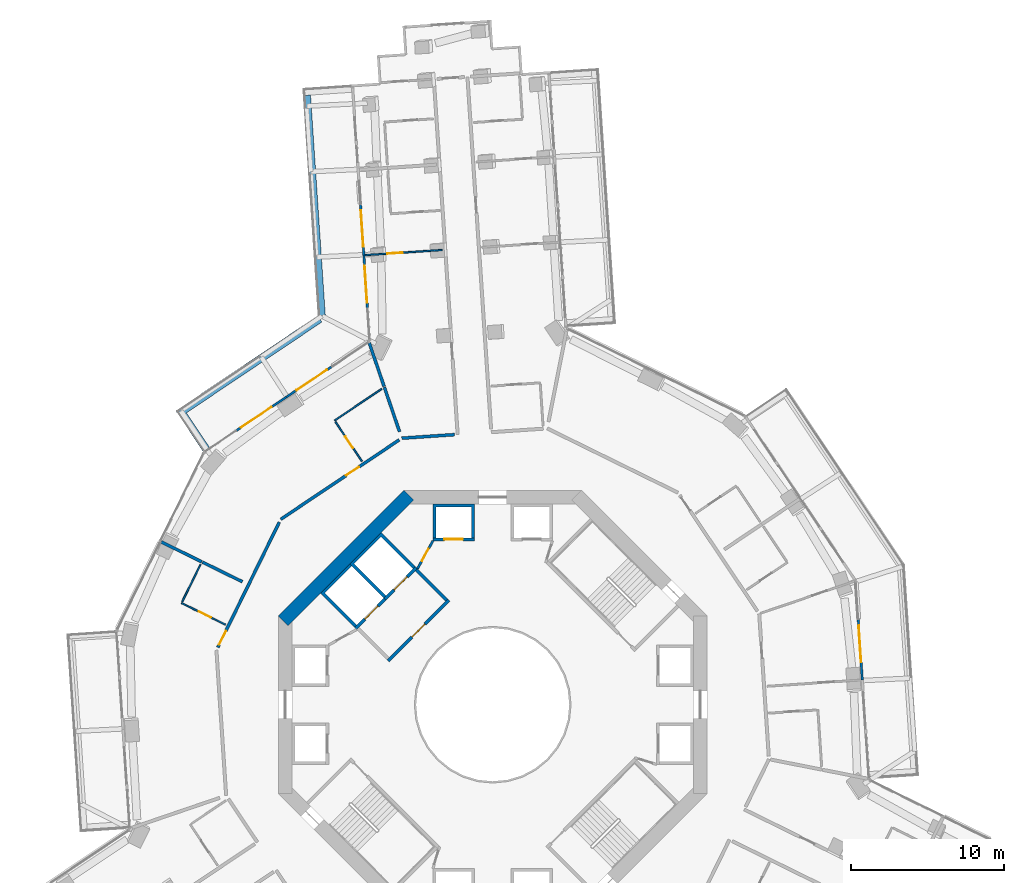
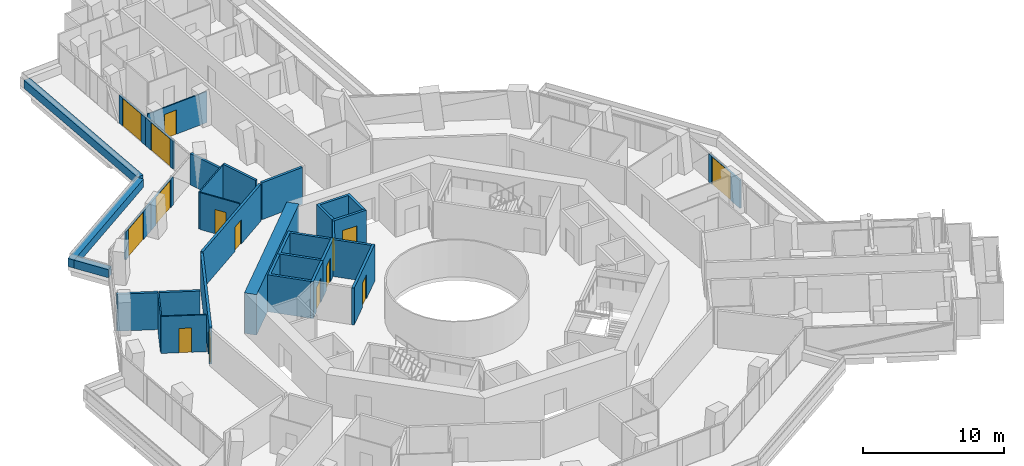
# One storey, part 20 of 25: 30 walls, 15 doors, 15 openings.
"""IFC4 building model written with IfcOpenShell, lengths in metres."""

from ifc_helpers import new_model, si_unit, direction, frame, frame_2d, origin, place, context, subcontext, project, spatial, polyline, rectangle, outline, extrude, material, layer, layer_set, type_object, element, fill, save


model = new_model("IFC4")

# Units and contexts
model_context = context("Model", 3, precision=1e-05, world=origin(), true_north=direction((0.0, 1.0)))
body_context = subcontext(model_context, "Body", "Model", "MODEL_VIEW")
ifc_project = project(units=[si_unit("LENGTHUNIT", "METRE"), si_unit("AREAUNIT", "SQUARE_METRE"), si_unit("VOLUMEUNIT", "CUBIC_METRE"), si_unit("PLANEANGLEUNIT", "RADIAN"), si_unit("MASSUNIT", "GRAM", prefix="KILO")], contexts=[model_context])

# Site, building, storey
site_placement = place(None, origin())
site = spatial("IfcSite", under=ifc_project, at=site_placement, CompositionType="ELEMENT")
building_placement = place(site_placement, origin())
building = spatial("IfcBuilding", under=site, at=building_placement, Name="Verdalira Terraces Hotel", CompositionType="ELEMENT")
storey_placement = place(building_placement, frame((0.0, 0.0, 49.5)))
storey = spatial("IfcBuildingStorey", under=building, at=storey_placement, Name="L10", CompositionType="ELEMENT", Elevation=49.5)

# Walls
ifc_material_1 = material(Name="Concrete C40", Category="concrete")
ifc_layer_1 = layer(ifc_material_1, 0.5)
ifc_layer_set_1 = layer_set([ifc_layer_1], Name="Balcony planter trough with tree")
wall_type_1 = type_object("IfcWallType", Name="Balcony planter trough with tree", PredefinedType="SOLIDWALL", material=ifc_layer_set_1)
wall_1_placement = place(storey_placement, frame((-12.141602, 39.78418, 0.0), z_axis=(0.0, 0.0, 1.0), x_axis=(0.066975797, -0.9977546, 0.0)))
element("IfcWall", 1, at=wall_1_placement, inside=storey, type_object=wall_type_1, Name="Balcony planter", PredefinedType="SOLIDWALL", context=body_context, shape_type="SweptSolid", body=[
    extrude(rectangle(XDim=14.4021, YDim=0.5, at=frame_2d((7.201172, 0.0))), origin(), (0.0, 0.0, 1.0), 0.699951),
])
wall_2_placement = place(storey_placement, frame((-11.287354, 25.189941, 0.0), z_axis=(0.0, 0.0, 1.0), x_axis=(-0.830599266, -0.556870595, 0.0)))
element("IfcWall", 2, at=wall_2_placement, inside=storey, type_object=wall_type_1, Name="Balcony planter", PredefinedType="SOLIDWALL", context=body_context, shape_type="SweptSolid", body=[
    extrude(rectangle(XDim=11.152344, YDim=0.5, at=frame_2d((5.576172, 0.0))), origin(), (0.0, 0.0, 1.0), 0.699951),
])
wall_3_placement = place(storey_placement, frame((-20.203613, 18.910889, 0.0), z_axis=(0.0, 0.0, 1.0), x_axis=(0.556869339, -0.830600108, 0.0)))
element("IfcWall", 3, at=wall_3_placement, inside=storey, type_object=wall_type_1, Name="Balcony planter", PredefinedType="SOLIDWALL", context=body_context, shape_type="SweptSolid", body=[
    extrude(rectangle(XDim=2.698975, YDim=0.5, at=frame_2d((1.349609, 0.0))), origin(), (0.0, 0.0, 1.0), 0.699951),
])
ifc_material_2 = material(Name="Moisture-resistant gypsum board partition")
ifc_layer_2 = layer(ifc_material_2, 0.10009765625)
ifc_layer_set_2 = layer_set([ifc_layer_2], Name="Bathroom partition 100 mm")
wall_type_2 = type_object("IfcWallType", Name="Bathroom partition 100 mm", PredefinedType="PARTITIONING", material=ifc_layer_set_2)
wall_4_placement = place(storey_placement, frame((-20.269531, 6.725342, 0.0), z_axis=(0.0, 0.0, 1.0), x_axis=(0.440908992, 0.897551815, 0.0)))
element("IfcWall", 4, at=wall_4_placement, inside=storey, type_object=wall_type_2, Name="Bathroom partition", PredefinedType="PARTITIONING", context=body_context, shape_type="SweptSolid", body=[
    extrude(rectangle(XDim=2.699951, YDim=0.100098, at=frame_2d((1.350098, 0.0))), origin(), (0.0, 0.0, 1.0), 3.189941),
])

# Wall, opening, door
wall_5_placement = place(storey_placement, frame((-20.313721, 6.635498, 0.0), z_axis=(0.0, 0.0, 1.0), x_axis=(0.89759352, -0.440824085, 0.0)))
wall_5 = element("IfcWall", 5, at=wall_5_placement, inside=storey, type_object=wall_type_2, Name="Bathroom partition", PredefinedType="PARTITIONING", context=body_context, shape_type="SweptSolid", body=[
    extrude(rectangle(XDim=3.199951, YDim=0.100098, at=frame_2d((1.600098, 0.0))), origin(), (0.0, 0.0, 1.0), 3.189941),
])
opening_1_placement = place(wall_5_placement, frame((1.25, 0.0, 0.0)))
opening_1 = element("IfcOpeningElement", 6, at=opening_1_placement, cuts=wall_5, Name="Opening L10-115", PredefinedType="OPENING", context=body_context, shape_type="SweptSolid", body=[
    extrude(rectangle(XDim=0.899902, YDim=2.100098, at=frame_2d((0.449951, 1.050049))), frame((0.0, 0.060059, 0.0), z_axis=(0.0, -1.0, 0.0), x_axis=(1.0, 0.0, 0.0)), (0.0, 0.0, 1.0), 0.120117),
])
ifc_material_3 = material(Name="Timber door", Category="wood")
door_type_1 = type_object("IfcDoorType", Name="Bathroom door 900 x 2100", OperationType="NOTDEFINED", PredefinedType="DOOR", material=ifc_material_3)
door_1_placement = place(opening_1_placement, origin())
door_1 = element("IfcDoor", 7, at=door_1_placement, inside=storey, type_object=door_type_1, Name="Bathroom door 1005", OperationType="SINGLE_SWING_LEFT", OverallHeight=2.10009765625, OverallWidth=0.89990234375, PredefinedType="DOOR", context=body_context, shape_type="SweptSolid", body=[
    extrude(rectangle(XDim=0.899902, YDim=2.100098, at=frame_2d((0.449951, 1.050049))), frame((0.0, 0.024902, 0.0), z_axis=(0.0, -1.0, 0.0), x_axis=(1.0, 0.0, 0.0)), (0.0, 0.0, 1.0), 0.050049),
])
fill(opening_1, door_1)

wall_6_placement = place(storey_placement, frame((-10.266357, 18.470215, 0.0), z_axis=(0.0, 0.0, 1.0), x_axis=(0.556860995, -0.830605702, 0.0)))
wall_6 = element("IfcWall", 8, at=wall_6_placement, inside=storey, type_object=wall_type_2, Name="Bathroom partition", PredefinedType="PARTITIONING", context=body_context, shape_type="SweptSolid", body=[
    extrude(rectangle(XDim=3.100098, YDim=0.100098, at=frame_2d((1.550049, 0.0))), origin(), (0.0, 0.0, 1.0), 3.189941),
])
opening_2_placement = place(wall_6_placement, frame((1.149902, 0.0, 0.0)))
opening_2 = element("IfcOpeningElement", 9, at=opening_2_placement, cuts=wall_6, Name="Opening L10-113", PredefinedType="OPENING", context=body_context, shape_type="SweptSolid", body=[
    extrude(rectangle(XDim=0.899902, YDim=2.100098, at=frame_2d((0.449951, 1.050049))), frame((0.0, 0.060059, 0.0), z_axis=(0.0, -1.0, 0.0), x_axis=(1.0, 0.0, 0.0)), (0.0, 0.0, 1.0), 0.120117),
])
door_2_placement = place(opening_2_placement, origin())
door_2 = element("IfcDoor", 10, at=door_2_placement, inside=storey, type_object=door_type_1, Name="Bathroom door 1004", OperationType="SINGLE_SWING_LEFT", OverallHeight=2.10009765625, OverallWidth=0.89990234375, PredefinedType="DOOR", context=body_context, shape_type="SweptSolid", body=[
    extrude(rectangle(XDim=0.899902, YDim=2.100098, at=frame_2d((0.449951, 1.050049))), frame((0.0, 0.024902, 0.0), z_axis=(0.0, -1.0, 0.0), x_axis=(1.0, 0.0, 0.0)), (0.0, 0.0, 1.0), 0.050049),
])
fill(opening_2, door_2)

# Wall
wall_7_placement = place(storey_placement, frame((-10.322021, 18.553223, 0.0), z_axis=(0.0, 0.0, 1.0), x_axis=(0.83060748, 0.556858344, 0.0)))
element("IfcWall", 11, at=wall_7_placement, inside=storey, type_object=wall_type_2, Name="Bathroom partition", PredefinedType="PARTITIONING", context=body_context, shape_type="SweptSolid", body=[
    extrude(rectangle(XDim=3.703857, YDim=0.100098, at=frame_2d((1.852051, 0.0))), origin(), (0.0, 0.0, 1.0), 3.189941),
])

# Wall, opening, door
ifc_material_4 = material(Name="Moisture-resistant gypsum board partition")
ifc_layer_3 = layer(ifc_material_4, 0.10009765625)
ifc_layer_set_3 = layer_set([ifc_layer_3], Name="Bathroom partition 100 mm to beam soffit")
wall_type_3 = type_object("IfcWallType", Name="Bathroom partition 100 mm to beam soffit", PredefinedType="PARTITIONING", material=ifc_layer_set_3)
wall_8_placement = place(storey_placement, frame((-8.334229, 29.349365, 0.0), z_axis=(0.0, 0.0, 1.0), x_axis=(0.997755754, 0.066958606, 0.0)))
wall_8 = element("IfcWall", 12, at=wall_8_placement, inside=storey, type_object=wall_type_3, Name="Bathroom partition", PredefinedType="PARTITIONING", context=body_context, shape_type="SweptSolid", body=[
    extrude(rectangle(XDim=5.049805, YDim=0.100098, at=frame_2d((2.524902, 0.0))), origin(), (0.0, 0.0, 1.0), 2.689941),
])
opening_3_placement = place(wall_8_placement, frame((1.449951, 0.0, 0.0)))
opening_3 = element("IfcOpeningElement", 13, at=opening_3_placement, cuts=wall_8, Name="Opening L10-110", PredefinedType="OPENING", context=body_context, shape_type="SweptSolid", body=[
    extrude(rectangle(XDim=1.0, YDim=2.100098, at=frame_2d((0.5, 1.050049))), frame((0.0, 0.060059, 0.0), z_axis=(0.0, -1.0, 0.0), x_axis=(1.0, 0.0, 0.0)), (0.0, 0.0, 1.0), 0.120117),
])
ifc_material_5 = material(Name="Timber door", Category="wood")
door_type_2 = type_object("IfcDoorType", Name="Suite internal door 1000 x 2100", OperationType="NOTDEFINED", PredefinedType="DOOR", material=ifc_material_5)
door_3_placement = place(opening_3_placement, origin())
door_3 = element("IfcDoor", 14, at=door_3_placement, inside=storey, type_object=door_type_2, Name="Suite internal door 1003", OperationType="SINGLE_SWING_LEFT", OverallHeight=2.10009765625, OverallWidth=1.0, PredefinedType="DOOR", context=body_context, shape_type="SweptSolid", body=[
    extrude(rectangle(XDim=1.0, YDim=2.100098, at=frame_2d((0.5, 1.050049))), frame((0.0, 0.024902, 0.0), z_axis=(0.0, -1.0, 0.0), x_axis=(1.0, 0.0, 0.0)), (0.0, 0.0, 1.0), 0.050049),
])
fill(opening_3, door_3)

# Wall
ifc_material_6 = material(Name="Concrete C50", Category="concrete")
ifc_layer_4 = layer(ifc_material_6, 0.199951171875)
ifc_layer_set_4 = layer_set([ifc_layer_4], Name="Core RC wall 200 C50")
wall_type_4 = type_object("IfcWallType", Name="Core RC wall 200 C50", PredefinedType="SOLIDWALL", material=ifc_layer_set_4)
wall_9_placement = place(storey_placement, origin())
element("IfcWall", 15, at=wall_9_placement, inside=storey, type_object=wall_type_4, Name="L10 shaft wall N2", PredefinedType="SOLIDWALL", context=body_context, shape_type="SweptSolid", body=[
    extrude(outline(polyline([(-3.899902, 10.899902), (-3.899902, 13.100098), (-1.199951, 13.100098), (-1.199951, 10.899902), (-1.399902, 10.899902), (-1.399902, 12.899902), (-3.699951, 12.899902), (-3.699951, 10.899902), (-3.899902, 10.899902)])), origin(), (0.0, 0.0, 1.0), 3.189941),
])

# Wall, opening, door
wall_10_placement = place(storey_placement, frame((-1.199951, 10.800049, 0.0), z_axis=(0.0, 0.0, 1.0), x_axis=(-1.0, 0.0, 0.0)))
wall_10 = element("IfcWall", 16, at=wall_10_placement, inside=storey, type_object=wall_type_4, Name="L10 shaft front wall N2", PredefinedType="SOLIDWALL", context=body_context, shape_type="SweptSolid", body=[
    extrude(rectangle(XDim=2.699951, YDim=0.199951, at=frame_2d((1.350098, 0.0))), origin(), (0.0, 0.0, 1.0), 3.189941),
])
opening_4_placement = place(wall_10_placement, frame((0.75, 0.0, 0.0)))
opening_4 = element("IfcOpeningElement", 17, at=opening_4_placement, cuts=wall_10, Name="Opening LD-L10-804", PredefinedType="OPENING", context=body_context, shape_type="SweptSolid", body=[
    extrude(rectangle(XDim=1.199951, YDim=2.100098, at=frame_2d((0.600098, 1.050049))), frame((0.0, 0.109863, 0.0), z_axis=(0.0, -1.0, 0.0), x_axis=(1.0, 0.0, 0.0)), (0.0, 0.0, 1.0), 0.219971),
])
ifc_material_7 = material(Name="Stainless steel", Category="steel")
door_type_3 = type_object("IfcDoorType", Name="Landing door 1200 x 2100", OperationType="NOTDEFINED", PredefinedType="DOOR", material=ifc_material_7)
door_4_placement = place(opening_4_placement, origin())
door_4 = element("IfcDoor", 18, at=door_4_placement, inside=storey, type_object=door_type_3, Name="Lift landing door LR4 L10", OperationType="DOUBLE_DOOR_SLIDING", OverallHeight=2.10009765625, OverallWidth=1.199951171875, PredefinedType="DOOR", context=body_context, shape_type="SweptSolid", body=[
    extrude(rectangle(XDim=1.199951, YDim=2.100098, at=frame_2d((0.600098, 1.050049))), frame((0.0, 0.024902, 0.0), z_axis=(0.0, -1.0, 0.0), x_axis=(1.0, 0.0, 0.0)), (0.0, 0.0, 1.0), 0.050049),
])
fill(opening_4, door_4)

# Wall
wall_11_placement = place(storey_placement, origin())
element("IfcWall", 19, at=wall_11_placement, inside=storey, type_object=wall_type_4, Name="L10 shaft wall F1", PredefinedType="SOLIDWALL", context=body_context, shape_type="SweptSolid", body=[
    extrude(outline(polyline([(-9.33374, 9.192383), (-7.283203, 11.24292), (-5.055908, 9.015625), (-5.197266, 8.874268), (-7.283203, 10.960205), (-9.051025, 9.192383), (-6.965088, 7.106445), (-7.106445, 6.965088), (-9.33374, 9.192383)])), origin(), (0.0, 0.0, 1.0), 3.189941),
])

# Wall, opening, door
wall_12_placement = place(storey_placement, frame((-4.985107, 8.944824, 0.0), z_axis=(0.0, 0.0, 1.0), x_axis=(-0.707106781, -0.707106781, 0.0)))
wall_12 = element("IfcWall", 20, at=wall_12_placement, inside=storey, type_object=wall_type_4, Name="L10 shaft front wall F1", PredefinedType="SOLIDWALL", context=body_context, shape_type="SweptSolid", body=[
    extrude(rectangle(XDim=2.899902, YDim=0.199951, at=frame_2d((1.449951, 0.0))), origin(), (0.0, 0.0, 1.0), 3.189941),
])
opening_5_placement = place(wall_12_placement, frame((0.850098, 0.0, 0.0)))
opening_5 = element("IfcOpeningElement", 21, at=opening_5_placement, cuts=wall_12, Name="Opening LD-L10-807", PredefinedType="OPENING", context=body_context, shape_type="SweptSolid", body=[
    extrude(rectangle(XDim=1.199951, YDim=2.100098, at=frame_2d((0.600098, 1.050049))), frame((0.0, 0.109863, 0.0), z_axis=(0.0, -1.0, 0.0), x_axis=(1.0, 0.0, 0.0)), (0.0, 0.0, 1.0), 0.219971),
])
door_5_placement = place(opening_5_placement, origin())
door_5 = element("IfcDoor", 22, at=door_5_placement, inside=storey, type_object=door_type_3, Name="Lift landing door LF11 L10", OperationType="DOUBLE_DOOR_SLIDING", OverallHeight=2.10009765625, OverallWidth=1.199951171875, PredefinedType="DOOR", context=body_context, shape_type="SweptSolid", body=[
    extrude(rectangle(XDim=1.199951, YDim=2.100098, at=frame_2d((0.600098, 1.050049))), frame((0.0, 0.024902, 0.0), z_axis=(0.0, -1.0, 0.0), x_axis=(1.0, 0.0, 0.0)), (0.0, 0.0, 1.0), 0.050049),
])
fill(opening_5, door_5)

# Wall
wall_13_placement = place(storey_placement, origin())
element("IfcWall", 23, at=wall_13_placement, inside=storey, type_object=wall_type_4, Name="L10 shaft wall F2", PredefinedType="SOLIDWALL", context=body_context, shape_type="SweptSolid", body=[
    extrude(outline(polyline([(-11.24292, 7.283203), (-9.33374, 9.192383), (-9.192383, 9.051025), (-10.960205, 7.283203), (-8.874268, 5.197266), (-9.015625, 5.055908), (-11.24292, 7.283203)])), origin(), (0.0, 0.0, 1.0), 3.189941),
])

# Wall, opening, door
wall_14_placement = place(storey_placement, frame((-7.035645, 6.894287, 0.0), z_axis=(0.0, 0.0, 1.0), x_axis=(-0.707106781, -0.707106781, 0.0)))
wall_14 = element("IfcWall", 24, at=wall_14_placement, inside=storey, type_object=wall_type_4, Name="L10 shaft front wall F2", PredefinedType="SOLIDWALL", context=body_context, shape_type="SweptSolid", body=[
    extrude(rectangle(XDim=2.699951, YDim=0.199951, at=frame_2d((1.350098, 0.0))), origin(), (0.0, 0.0, 1.0), 3.189941),
])
opening_6_placement = place(wall_14_placement, frame((0.649902, 0.0, 0.0)))
opening_6 = element("IfcOpeningElement", 25, at=opening_6_placement, cuts=wall_14, Name="Opening LD-L10-808", PredefinedType="OPENING", context=body_context, shape_type="SweptSolid", body=[
    extrude(rectangle(XDim=1.199951, YDim=2.100098, at=frame_2d((0.600098, 1.050049))), frame((0.0, 0.109863, 0.0), z_axis=(0.0, -1.0, 0.0), x_axis=(1.0, 0.0, 0.0)), (0.0, 0.0, 1.0), 0.219971),
])
door_6_placement = place(opening_6_placement, origin())
door_6 = element("IfcDoor", 26, at=door_6_placement, inside=storey, type_object=door_type_3, Name="Lift landing door LF12 L10", OperationType="DOUBLE_DOOR_SLIDING", OverallHeight=2.10009765625, OverallWidth=1.199951171875, PredefinedType="DOOR", context=body_context, shape_type="SweptSolid", body=[
    extrude(rectangle(XDim=1.199951, YDim=2.100098, at=frame_2d((0.600098, 1.050049))), frame((0.0, 0.024902, 0.0), z_axis=(0.0, -1.0, 0.0), x_axis=(1.0, 0.0, 0.0)), (0.0, 0.0, 1.0), 0.050049),
])
fill(opening_6, door_6)

wall_15_placement = place(storey_placement, frame((-2.86377, 6.823486, 0.0), z_axis=(0.0, 0.0, 1.0), x_axis=(-0.707106781, -0.707106781, 0.0)))
wall_15 = element("IfcWall", 27, at=wall_15_placement, inside=storey, type_object=wall_type_4, Name="L10 fire lobby wall", PredefinedType="SOLIDWALL", context=body_context, shape_type="SweptSolid", body=[
    extrude(rectangle(XDim=5.599854, YDim=0.199951, at=frame_2d((2.799805, 0.0))), origin(), (0.0, 0.0, 1.0), 3.189941),
])
opening_7_placement = place(wall_15_placement, frame((2.199951, 0.0, 0.0)))
opening_7 = element("IfcOpeningElement", 28, at=opening_7_placement, cuts=wall_15, Name="Opening L10-819", PredefinedType="OPENING", context=body_context, shape_type="SweptSolid", body=[
    extrude(rectangle(XDim=1.199951, YDim=2.100098, at=frame_2d((0.600098, 1.050049))), frame((0.0, 0.109863, 0.0), z_axis=(0.0, -1.0, 0.0), x_axis=(1.0, 0.0, 0.0)), (0.0, 0.0, 1.0), 0.219971),
])
ifc_material_8 = material(Name="Steel fire door", Category="steel")
door_type_4 = type_object("IfcDoorType", Name="Lobby door 1200 x 2100", OperationType="NOTDEFINED", PredefinedType="DOOR", material=ifc_material_8)
door_7_placement = place(opening_7_placement, origin())
door_7 = element("IfcDoor", 29, at=door_7_placement, inside=storey, type_object=door_type_4, Name="Fire lobby door L10", OperationType="SINGLE_SWING_LEFT", OverallHeight=2.10009765625, OverallWidth=1.199951171875, PredefinedType="DOOR", context=body_context, shape_type="SweptSolid", body=[
    extrude(rectangle(XDim=1.199951, YDim=2.100098, at=frame_2d((0.600098, 1.050049))), frame((0.0, 0.024902, 0.0), z_axis=(0.0, -1.0, 0.0), x_axis=(1.0, 0.0, 0.0)), (0.0, 0.0, 1.0), 0.050049),
])
fill(opening_7, door_7)

# Wall
wall_16_placement = place(storey_placement, frame((-3.005127, 6.823486, 0.0), z_axis=(0.0, 0.0, 1.0), x_axis=(-0.707106781, 0.707106781, 0.0)))
element("IfcWall", 30, at=wall_16_placement, inside=storey, type_object=wall_type_4, Name="L10 fire lobby wall", PredefinedType="SOLIDWALL", context=body_context, shape_type="SweptSolid", body=[
    extrude(rectangle(XDim=2.800049, YDim=0.199951, at=frame_2d((1.399902, 0.0))), origin(), (0.0, 0.0, 1.0), 3.189941),
])

# Wall, opening, door
ifc_material_9 = material(Name="Gypsum board partition")
ifc_layer_5 = layer(ifc_material_9, 0.14990234375)
ifc_layer_set_5 = layer_set([ifc_layer_5], Name="Core partition 150 mm")
wall_type_5 = type_object("IfcWallType", Name="Core partition 150 mm", PredefinedType="PARTITIONING", material=ifc_layer_set_5)
wall_17_placement = place(storey_placement, frame((-3.899902, 10.699951, 0.0), z_axis=(0.0, 0.0, 1.0), x_axis=(-0.485692555, -0.874129705, 0.0)))
wall_17 = element("IfcWall", 31, at=wall_17_placement, inside=storey, type_object=wall_type_5, Name="Room partition L10", PredefinedType="PARTITIONING", context=body_context, shape_type="SweptSolid", body=[
    extrude(rectangle(XDim=2.088623, YDim=0.149902, at=frame_2d((1.044434, 0.0))), origin(), (0.0, 0.0, 1.0), 3.189941),
])
opening_8_placement = place(wall_17_placement, frame((0.594238, 0.0, 0.0)))
opening_8 = element("IfcOpeningElement", 32, at=opening_8_placement, cuts=wall_17, Name="Opening L10-821", PredefinedType="OPENING", context=body_context, shape_type="SweptSolid", body=[
    extrude(rectangle(XDim=0.899902, YDim=2.100098, at=frame_2d((0.449951, 1.050049))), frame((0.0, 0.084961, 0.0), z_axis=(0.0, -1.0, 0.0), x_axis=(1.0, 0.0, 0.0)), (0.0, 0.0, 1.0), 0.169922),
])
ifc_material_10 = material(Name="Steel fire door", Category="steel")
door_type_5 = type_object("IfcDoorType", Name="Core room door 900 x 2100", OperationType="NOTDEFINED", PredefinedType="DOOR", material=ifc_material_10)
door_8_placement = place(opening_8_placement, origin())
door_8 = element("IfcDoor", 33, at=door_8_placement, inside=storey, type_object=door_type_5, Name="Door L10 room2", OperationType="SINGLE_SWING_LEFT", OverallHeight=2.10009765625, OverallWidth=0.89990234375, PredefinedType="DOOR", context=body_context, shape_type="SweptSolid", body=[
    extrude(rectangle(XDim=0.899902, YDim=2.100098, at=frame_2d((0.449951, 1.050049))), frame((0.0, 0.024902, 0.0), z_axis=(0.0, -1.0, 0.0), x_axis=(1.0, 0.0, 0.0)), (0.0, 0.0, 1.0), 0.050049),
])
fill(opening_8, door_8)

# Walls
ifc_material_11 = material(Name="Concrete C70", Category="concrete")
ifc_layer_6 = layer(ifc_material_11, 0.89990234375)
ifc_layer_set_6 = layer_set([ifc_layer_6], Name="Core wall 900 C70")
wall_type_6 = type_object("IfcWallType", Name="Core wall 900 C70", PredefinedType="SHEAR", material=ifc_layer_set_6)
wall_18_placement = place(storey_placement, frame((-5.480713, 13.681885, 0.0), z_axis=(0.0, 0.0, 1.0), x_axis=(-0.707106781, -0.707106781, 0.0)))
element("IfcWall", 34, at=wall_18_placement, inside=storey, type_object=wall_type_6, Name="Core wall CW-L10-4", PredefinedType="SHEAR", context=body_context, shape_type="SweptSolid", body=[
    extrude(rectangle(XDim=11.598145, YDim=0.899902, at=frame_2d((5.799072, 0.0))), origin(), (0.0, 0.0, 1.0), 3.5),
])
ifc_material_12 = material(Name="Fire-rated gypsum board wall")
ifc_layer_7 = layer(ifc_material_12, 0.199951171875)
ifc_layer_set_7 = layer_set([ifc_layer_7], Name="Demising wall 200 mm")
wall_type_7 = type_object("IfcWallType", Name="Demising wall 200 mm", PredefinedType="SOLIDWALL", material=ifc_layer_set_7)
wall_19_placement = place(storey_placement, frame((-18.989258, 9.327393, 0.0), z_axis=(0.0, 0.0, 1.0), x_axis=(-0.897564087, 0.440884009, 0.0)))
element("IfcWall", 35, at=wall_19_placement, inside=storey, type_object=wall_type_7, Name="Demising wall", PredefinedType="SOLIDWALL", context=body_context, shape_type="SweptSolid", body=[
    extrude(rectangle(XDim=2.952148, YDim=0.199951, at=frame_2d((1.476074, 0.0))), origin(), (0.0, 0.0, 1.0), 3.189941),
])
wall_20_placement = place(storey_placement, frame((-16.34082, 8.026611, 0.0), z_axis=(0.0, 0.0, 1.0), x_axis=(-0.897581751, 0.440848046, 0.0)))
element("IfcWall", 36, at=wall_20_placement, inside=storey, type_object=wall_type_7, Name="Demising wall", PredefinedType="SOLIDWALL", context=body_context, shape_type="SweptSolid", body=[
    extrude(rectangle(XDim=2.904785, YDim=0.199951, at=frame_2d((1.452393, 0.0))), origin(), (0.0, 0.0, 1.0), 3.189941),
])
wall_21_placement = place(storey_placement, frame((-6.081299, 17.822998, 0.0), z_axis=(0.0, 0.0, 1.0), x_axis=(-0.322937445, 0.946420312, 0.0)))
element("IfcWall", 37, at=wall_21_placement, inside=storey, type_object=wall_type_7, Name="Demising wall", PredefinedType="SOLIDWALL", context=body_context, shape_type="SweptSolid", body=[
    extrude(rectangle(XDim=3.074707, YDim=0.199951, at=frame_2d((1.537354, 0.0))), origin(), (0.0, 0.0, 1.0), 3.189941),
])
ifc_material_13 = material(Name="Fire-rated gypsum board wall")
ifc_layer_8 = layer(ifc_material_13, 0.199951171875)
ifc_layer_set_8 = layer_set([ifc_layer_8], Name="Demising wall 200 mm to beam soffit")
wall_type_8 = type_object("IfcWallType", Name="Demising wall 200 mm to beam soffit", PredefinedType="SOLIDWALL", material=ifc_layer_set_8)
wall_22_placement = place(storey_placement, frame((-7.089111, 20.776611, 0.0), z_axis=(0.0, 0.0, 1.0), x_axis=(-0.322908317, 0.946430251, 0.0)))
element("IfcWall", 38, at=wall_22_placement, inside=storey, type_object=wall_type_8, Name="Demising wall", PredefinedType="SOLIDWALL", context=body_context, shape_type="SweptSolid", body=[
    extrude(rectangle(XDim=3.011475, YDim=0.199951, at=frame_2d((1.505859, 0.0))), origin(), (0.0, 0.0, 1.0), 2.689941),
])

# Wall, opening, door
ifc_material_14 = material(Name="Fire-rated gypsum board wall")
ifc_layer_9 = layer(ifc_material_14, 0.199951171875)
ifc_layer_set_9 = layer_set([ifc_layer_9], Name="Guest corridor wall 200 mm")
wall_type_9 = type_object("IfcWallType", Name="Guest corridor wall 200 mm", PredefinedType="SOLIDWALL", material=ifc_layer_set_9)
wall_23_placement = place(storey_placement, frame((-17.94873, 3.738281, 0.0), z_axis=(0.0, 0.0, 1.0), x_axis=(0.440892524, 0.897559905, 0.0)))
wall_23 = element("IfcWall", 39, at=wall_23_placement, inside=storey, type_object=wall_type_9, Name="Guest corridor wall", PredefinedType="SOLIDWALL", context=body_context, shape_type="SweptSolid", body=[
    extrude(rectangle(XDim=9.115723, YDim=0.199951, at=frame_2d((4.557861, 0.0))), origin(), (0.0, 0.0, 1.0), 3.189941),
])
opening_9_placement = place(wall_23_placement, frame((0.199951, 0.0, 0.0)))
opening_9 = element("IfcOpeningElement", 40, at=opening_9_placement, cuts=wall_23, Name="Opening L10-114", PredefinedType="OPENING", context=body_context, shape_type="SweptSolid", body=[
    extrude(rectangle(XDim=1.0, YDim=2.100098, at=frame_2d((0.5, 1.050049))), frame((0.0, 0.109863, 0.0), z_axis=(0.0, -1.0, 0.0), x_axis=(1.0, 0.0, 0.0)), (0.0, 0.0, 1.0), 0.219971),
])
ifc_material_15 = material(Name="Timber fire door", Category="wood")
door_type_6 = type_object("IfcDoorType", Name="Guest entry door 1000 x 2100", OperationType="NOTDEFINED", PredefinedType="DOOR", material=ifc_material_15)
door_9_placement = place(opening_9_placement, origin())
door_9 = element("IfcDoor", 41, at=door_9_placement, inside=storey, type_object=door_type_6, Name="Guest entry door 1005", OperationType="SINGLE_SWING_LEFT", OverallHeight=2.10009765625, OverallWidth=1.0, PredefinedType="DOOR", context=body_context, shape_type="SweptSolid", body=[
    extrude(rectangle(XDim=1.0, YDim=2.100098, at=frame_2d((0.5, 1.050049))), frame((0.0, 0.024902, 0.0), z_axis=(0.0, -1.0, 0.0), x_axis=(1.0, 0.0, 0.0)), (0.0, 0.0, 1.0), 0.050049),
])
fill(opening_9, door_9)

wall_24_placement = place(storey_placement, frame((-13.841064, 12.100586, 0.0), z_axis=(0.0, 0.0, 1.0), x_axis=(0.830608164, 0.556857323, 0.0)))
wall_24 = element("IfcWall", 42, at=wall_24_placement, inside=storey, type_object=wall_type_9, Name="Guest corridor wall", PredefinedType="SOLIDWALL", context=body_context, shape_type="SweptSolid", body=[
    extrude(rectangle(XDim=9.316162, YDim=0.199951, at=frame_2d((4.658203, 0.0))), origin(), (0.0, 0.0, 1.0), 3.189941),
])
opening_10_placement = place(wall_24_placement, frame((5.149902, 0.0, 0.0)))
opening_10 = element("IfcOpeningElement", 43, at=opening_10_placement, cuts=wall_24, Name="Opening L10-112", PredefinedType="OPENING", context=body_context, shape_type="SweptSolid", body=[
    extrude(rectangle(XDim=1.0, YDim=2.100098, at=frame_2d((0.5, 1.050049))), frame((0.0, 0.109863, 0.0), z_axis=(0.0, -1.0, 0.0), x_axis=(1.0, 0.0, 0.0)), (0.0, 0.0, 1.0), 0.219971),
])
door_10_placement = place(opening_10_placement, origin())
door_10 = element("IfcDoor", 44, at=door_10_placement, inside=storey, type_object=door_type_6, Name="Guest entry door 1004", OperationType="SINGLE_SWING_LEFT", OverallHeight=2.10009765625, OverallWidth=1.0, PredefinedType="DOOR", context=body_context, shape_type="SweptSolid", body=[
    extrude(rectangle(XDim=1.0, YDim=2.100098, at=frame_2d((0.5, 1.050049))), frame((0.0, 0.024902, 0.0), z_axis=(0.0, -1.0, 0.0), x_axis=(1.0, 0.0, 0.0)), (0.0, 0.0, 1.0), 0.050049),
])
fill(opening_10, door_10)

# Wall
wall_25_placement = place(storey_placement, frame((-2.486328, 17.631348, 0.0), z_axis=(0.0, 0.0, 1.0), x_axis=(-0.997758214, -0.066921946, 0.0)))
element("IfcWall", 45, at=wall_25_placement, inside=storey, type_object=wall_type_9, Name="Guest corridor wall", PredefinedType="SOLIDWALL", context=body_context, shape_type="SweptSolid", body=[
    extrude(rectangle(XDim=3.458496, YDim=0.199951, at=frame_2d((1.729248, 0.0))), origin(), (0.0, 0.0, 1.0), 3.189941),
])

# Wall, opening, door
ifc_material_16 = material(Name="Terracotta cladding", Category="masonry")
ifc_layer_10 = layer(ifc_material_16, 0.14990234375)
ifc_layer_set_10 = layer_set([ifc_layer_10], Name="Terracotta door pier 150")
wall_type_10 = type_object("IfcWallType", Name="Terracotta door pier 150", PredefinedType="SOLIDWALL", material=ifc_layer_set_10)
wall_26_placement = place(storey_placement, frame((-8.633545, 32.686768, 0.0), z_axis=(0.0, 0.0, 1.0), x_axis=(0.066973677, -0.997754743, 0.0)))
wall_26 = element("IfcWall", 46, at=wall_26_placement, inside=storey, type_object=wall_type_10, Name="Terracotta door pier", PredefinedType="SOLIDWALL", context=body_context, shape_type="SweptSolid", body=[
    extrude(rectangle(XDim=3.350098, YDim=0.149902, at=frame_2d((1.675049, 0.0))), origin(), (0.0, 0.0, 1.0), 2.425049),
])
opening_11_placement = place(wall_26_placement, frame((0.399902, 0.0, 0.0)))
opening_11 = element("IfcOpeningElement", 47, at=opening_11_placement, cuts=wall_26, Name="Opening L10-B05", PredefinedType="OPENING", context=body_context, shape_type="SweptSolid", body=[
    extrude(rectangle(XDim=2.399902, YDim=2.399902, at=frame_2d((1.199951, 1.199951))), frame((0.0, 0.084961, 0.0), z_axis=(0.0, -1.0, 0.0), x_axis=(1.0, 0.0, 0.0)), (0.0, 0.0, 1.0), 0.169922),
])
ifc_material_17 = material(Name="Clear glass", Category="glass")
door_type_7 = type_object("IfcDoorType", Name="Balcony sliding door 2400x2400", OperationType="NOTDEFINED", PredefinedType="DOOR", material=ifc_material_17)
door_11_placement = place(opening_11_placement, origin())
door_11 = element("IfcDoor", 48, at=door_11_placement, inside=storey, type_object=door_type_7, Name="Balcony sliding door", OperationType="SLIDING_TO_RIGHT", OverallHeight=2.39990234375, OverallWidth=2.39990234375, PredefinedType="DOOR", context=body_context, shape_type="SweptSolid", body=[
    extrude(rectangle(XDim=2.399902, YDim=2.399902, at=frame_2d((1.199951, 1.199951))), frame((0.0, 0.024902, 0.0), z_axis=(0.0, -1.0, 0.0), x_axis=(1.0, 0.0, 0.0)), (0.0, 0.0, 1.0), 0.050049),
])
fill(opening_11, door_11)

wall_27_placement = place(storey_placement, frame((-8.40918, 29.344238, 0.0), z_axis=(0.0, 0.0, 1.0), x_axis=(0.066995591, -0.997753272, 0.0)))
wall_27 = element("IfcWall", 49, at=wall_27_placement, inside=storey, type_object=wall_type_10, Name="Terracotta door pier", PredefinedType="SOLIDWALL", context=body_context, shape_type="SweptSolid", body=[
    extrude(rectangle(XDim=3.501953, YDim=0.149902, at=frame_2d((1.750977, 0.0))), origin(), (0.0, 0.0, 1.0), 2.425049),
])
opening_12_placement = place(wall_27_placement, frame((0.702148, 0.0, 0.0)))
opening_12 = element("IfcOpeningElement", 50, at=opening_12_placement, cuts=wall_27, Name="Opening L10-B06", PredefinedType="OPENING", context=body_context, shape_type="SweptSolid", body=[
    extrude(rectangle(XDim=2.399902, YDim=2.399902, at=frame_2d((1.199951, 1.199951))), frame((0.0, 0.084961, 0.0), z_axis=(0.0, -1.0, 0.0), x_axis=(1.0, 0.0, 0.0)), (0.0, 0.0, 1.0), 0.169922),
])
door_12_placement = place(opening_12_placement, origin())
door_12 = element("IfcDoor", 51, at=door_12_placement, inside=storey, type_object=door_type_7, Name="Balcony sliding door", OperationType="SLIDING_TO_LEFT", OverallHeight=2.39990234375, OverallWidth=2.39990234375, PredefinedType="DOOR", context=body_context, shape_type="SweptSolid", body=[
    extrude(rectangle(XDim=2.399902, YDim=2.399902, at=frame_2d((1.199951, 1.199951))), frame((0.0, 0.024902, 0.0), z_axis=(0.0, -1.0, 0.0), x_axis=(1.0, 0.0, 0.0)), (0.0, 0.0, 1.0), 0.050049),
])
fill(opening_12, door_12)

wall_28_placement = place(storey_placement, frame((-10.477051, 22.091309, 0.0), z_axis=(0.0, 0.0, 1.0), x_axis=(-0.830597136, -0.556873772, 0.0)))
wall_28 = element("IfcWall", 52, at=wall_28_placement, inside=storey, type_object=wall_type_10, Name="Terracotta door pier", PredefinedType="SOLIDWALL", context=body_context, shape_type="SweptSolid", body=[
    extrude(rectangle(XDim=3.599854, YDim=0.149902, at=frame_2d((1.799805, 0.0))), origin(), (0.0, 0.0, 1.0), 2.425049),
])
opening_13_placement = place(wall_28_placement, frame((0.399902, 0.0, 0.0)))
opening_13 = element("IfcOpeningElement", 53, at=opening_13_placement, cuts=wall_28, Name="Opening L10-B07", PredefinedType="OPENING", context=body_context, shape_type="SweptSolid", body=[
    extrude(rectangle(XDim=2.399902, YDim=2.399902, at=frame_2d((1.199951, 1.199951))), frame((0.0, 0.084961, 0.0), z_axis=(0.0, -1.0, 0.0), x_axis=(1.0, 0.0, 0.0)), (0.0, 0.0, 1.0), 0.169922),
])
door_13_placement = place(opening_13_placement, origin())
door_13 = element("IfcDoor", 54, at=door_13_placement, inside=storey, type_object=door_type_7, Name="Balcony sliding door", OperationType="SLIDING_TO_RIGHT", OverallHeight=2.39990234375, OverallWidth=2.39990234375, PredefinedType="DOOR", context=body_context, shape_type="SweptSolid", body=[
    extrude(rectangle(XDim=2.399902, YDim=2.399902, at=frame_2d((1.199951, 1.199951))), frame((0.0, 0.024902, 0.0), z_axis=(0.0, -1.0, 0.0), x_axis=(1.0, 0.0, 0.0)), (0.0, 0.0, 1.0), 0.050049),
])
fill(opening_13, door_13)

wall_29_placement = place(storey_placement, frame((-13.467041, 20.08667, 0.0), z_axis=(0.0, 0.0, 1.0), x_axis=(-0.830586929, -0.556888995, 0.0)))
wall_29 = element("IfcWall", 55, at=wall_29_placement, inside=storey, type_object=wall_type_10, Name="Terracotta door pier", PredefinedType="SOLIDWALL", context=body_context, shape_type="SweptSolid", body=[
    extrude(rectangle(XDim=3.960449, YDim=0.149902, at=frame_2d((1.980225, 0.0))), origin(), (0.0, 0.0, 1.0), 2.425049),
])
opening_14_placement = place(wall_29_placement, frame((1.1604, 0.0, 0.0)))
opening_14 = element("IfcOpeningElement", 56, at=opening_14_placement, cuts=wall_29, Name="Opening L10-B08", PredefinedType="OPENING", context=body_context, shape_type="SweptSolid", body=[
    extrude(rectangle(XDim=2.399902, YDim=2.399902, at=frame_2d((1.199951, 1.199951))), frame((0.0, 0.084961, 0.0), z_axis=(0.0, -1.0, 0.0), x_axis=(1.0, 0.0, 0.0)), (0.0, 0.0, 1.0), 0.169922),
])
door_14_placement = place(opening_14_placement, origin())
door_14 = element("IfcDoor", 57, at=door_14_placement, inside=storey, type_object=door_type_7, Name="Balcony sliding door", OperationType="SLIDING_TO_LEFT", OverallHeight=2.39990234375, OverallWidth=2.39990234375, PredefinedType="DOOR", context=body_context, shape_type="SweptSolid", body=[
    extrude(rectangle(XDim=2.399902, YDim=2.399902, at=frame_2d((1.199951, 1.199951))), frame((0.0, 0.024902, 0.0), z_axis=(0.0, -1.0, 0.0), x_axis=(1.0, 0.0, 0.0)), (0.0, 0.0, 1.0), 0.050049),
])
fill(opening_14, door_14)

wall_30_placement = place(storey_placement, frame((24.12915, 1.619629, 0.0), z_axis=(0.0, 0.0, 1.0), x_axis=(-0.067005873, 0.997752581, 0.0)))
wall_30 = element("IfcWall", 58, at=wall_30_placement, inside=storey, type_object=wall_type_10, Name="Terracotta door pier", PredefinedType="SOLIDWALL", context=body_context, shape_type="SweptSolid", body=[
    extrude(rectangle(XDim=3.960449, YDim=0.149902, at=frame_2d((1.980225, 0.0))), origin(), (0.0, 0.0, 1.0), 2.425049),
])
opening_15_placement = place(wall_30_placement, frame((1.1604, 0.0, 0.0)))
opening_15 = element("IfcOpeningElement", 59, at=opening_15_placement, cuts=wall_30, Name="Opening L10-B16", PredefinedType="OPENING", context=body_context, shape_type="SweptSolid", body=[
    extrude(rectangle(XDim=2.399902, YDim=2.399902, at=frame_2d((1.199951, 1.199951))), frame((0.0, 0.084961, 0.0), z_axis=(0.0, -1.0, 0.0), x_axis=(1.0, 0.0, 0.0)), (0.0, 0.0, 1.0), 0.169922),
])
door_15_placement = place(opening_15_placement, origin())
door_15 = element("IfcDoor", 60, at=door_15_placement, inside=storey, type_object=door_type_7, Name="Balcony sliding door", OperationType="SLIDING_TO_LEFT", OverallHeight=2.39990234375, OverallWidth=2.39990234375, PredefinedType="DOOR", context=body_context, shape_type="SweptSolid", body=[
    extrude(rectangle(XDim=2.399902, YDim=2.399902, at=frame_2d((1.199951, 1.199951))), frame((0.0, 0.024902, 0.0), z_axis=(0.0, -1.0, 0.0), x_axis=(1.0, 0.0, 0.0)), (0.0, 0.0, 1.0), 0.050049),
])
fill(opening_15, door_15)

save(model, "model.ifc")
